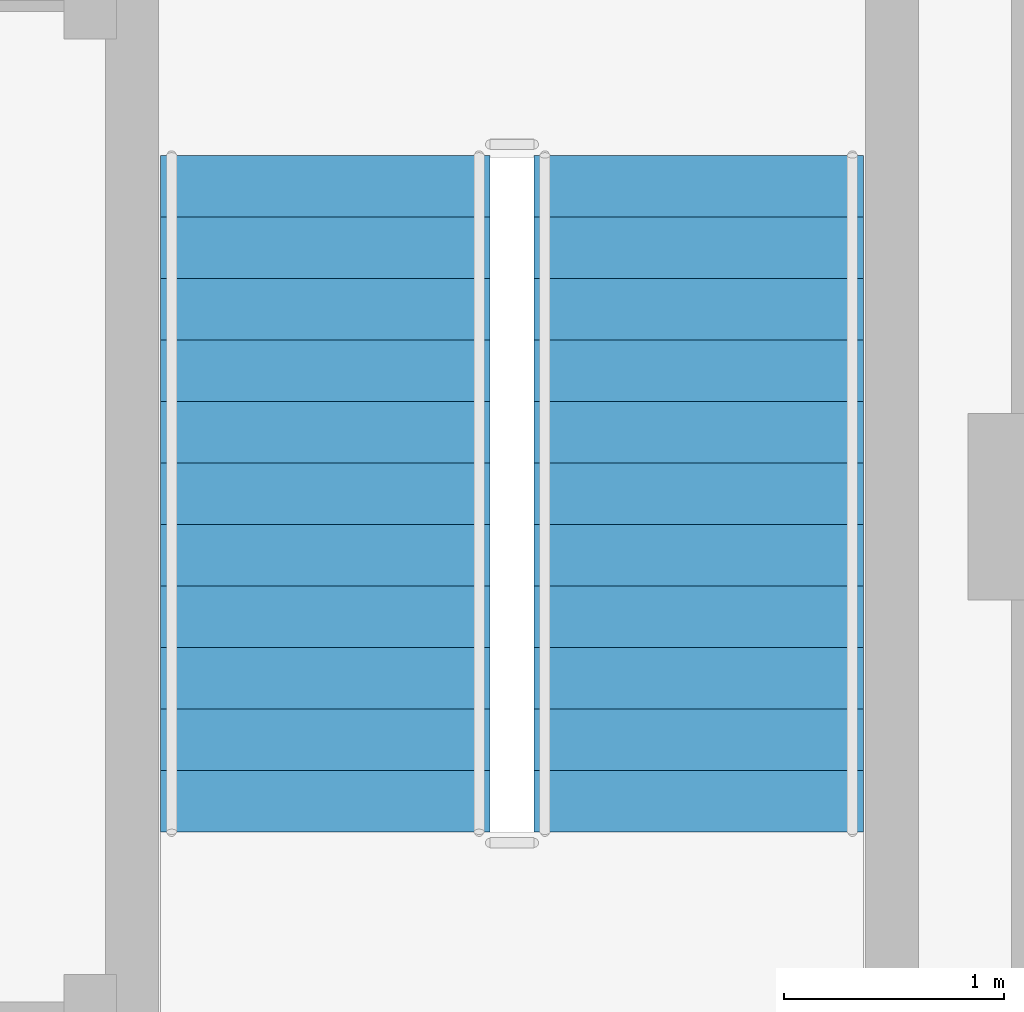
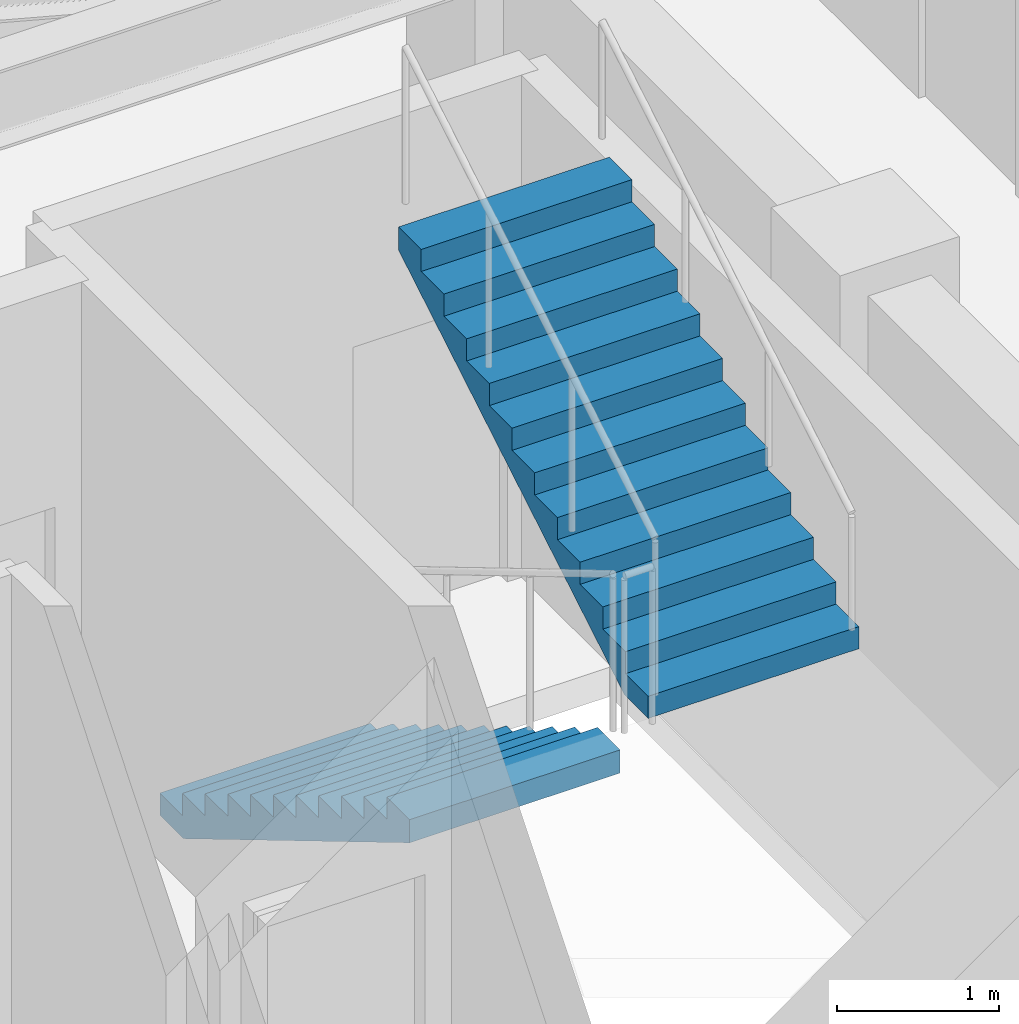
# One storey, part 8 of 12: 2 stair flights, 1 element without a shape of its own.
"""IFC4 building model written with IfcOpenShell, lengths in metres."""

from ifc_helpers import new_model, si_unit, direction, frame, origin, place, context, subcontext, project, spatial, polyline, outline, extrude, material, type_object, element, aggregate, save


model = new_model("IFC4")

# Units and contexts
model_context = context("Model", 3, precision=1e-05, world=origin(), true_north=direction((0.0, 1.0)))
body_context = subcontext(model_context, "Body", "Model", "MODEL_VIEW")
ifc_project = project(units=[si_unit("LENGTHUNIT", "METRE"), si_unit("AREAUNIT", "SQUARE_METRE"), si_unit("VOLUMEUNIT", "CUBIC_METRE"), si_unit("PLANEANGLEUNIT", "RADIAN"), si_unit("MASSUNIT", "GRAM", prefix="KILO")], contexts=[model_context])

# Site, building, storey
site_placement = place(None, origin())
site = spatial("IfcSite", under=ifc_project, at=site_placement, CompositionType="ELEMENT")
building_placement = place(site_placement, origin())
building = spatial("IfcBuilding", under=site, at=building_placement, Name="Gaonmaruhae Medical Tower", CompositionType="ELEMENT")
storey_placement = place(building_placement, frame((0.0, 0.0, 280.60009765625)))
storey = spatial("IfcBuildingStorey", under=building, at=storey_placement, Name="L67", CompositionType="ELEMENT", Elevation=280.60009765625)

# Stair, stair flights
ifc_material = material(Name="Concrete C40/50", Category="concrete")
stair_type = type_object("IfcStairType", Name="ST-T1 Primary Core Escape Dogleg Stair", PredefinedType="TWO_QUARTER_TURN_STAIR", material=ifc_material)
stair_placement = place(storey_placement, origin())
stair = element("IfcStair", 1, at=stair_placement, inside=storey, type_object=stair_type, Name="L67 Protected Escape Stair ST-02", PredefinedType="TWO_QUARTER_TURN_STAIR")
stair_flight_type = type_object("IfcStairFlightType", Name="SF-T1 Primary Core Precast Stair Flight", PredefinedType="STRAIGHT", material=ifc_material)
stair_flight_1_placement = place(storey_placement, frame((32.25, 13.89990234375, 0.0), z_axis=(0.0, 0.0, 1.0), x_axis=(0.0, -1.0, 0.0)))
stair_flight_1 = element("IfcStairFlight", 2, at=stair_flight_1_placement, type_object=stair_flight_type, Name="ST-02 flight 1", NumberOfRisers=12, NumberOfTreads=11, PredefinedType="STRAIGHT", RiserHeight=0.166666667, TreadLength=0.28, context=body_context, shape_type="SweptSolid", body=[
    extrude(outline(polyline([(0.0, 0.0), (0.0, 0.166748046875), (0.280029296875, 0.166748046875), (0.280029296875, 0.333251953125), (0.56005859375, 0.333251953125), (0.56005859375, 0.5), (0.840087890625, 0.5), (0.840087890625, 0.666748046875), (1.1201171875, 0.666748046875), (1.1201171875, 0.833251953125), (1.39990234375, 0.833251953125), (1.39990234375, 1.0), (1.679931640625, 1.0), (1.679931640625, 1.166748046875), (1.9599609375, 1.166748046875), (1.9599609375, 1.333251953125), (2.239990234375, 1.333251953125), (2.239990234375, 1.5), (2.52001953125, 1.5), (2.52001953125, 1.666748046875), (2.800048828125, 1.666748046875), (2.800048828125, 1.833251953125), (3.080078125, 1.833251953125), (3.080078125, 2.0), (3.080078125, 1.658935546875), (0.29296875, 0.0), (0.0, 0.0)])), frame((0.0, 0.75, 0.0), z_axis=(0.0, -1.0, 0.0), x_axis=(1.0, 0.0, 0.0)), (0.0, 0.0, 1.0), 1.5),
])
stair_flight_2_placement = place(storey_placement, frame((33.949951171875, 10.820068359375, 2.0), z_axis=(0.0, 0.0, 1.0), x_axis=(0.0, 1.0, 0.0)))
stair_flight_2 = element("IfcStairFlight", 3, at=stair_flight_2_placement, type_object=stair_flight_type, Name="ST-02 flight 2", NumberOfRisers=12, NumberOfTreads=11, PredefinedType="STRAIGHT", RiserHeight=0.166666667, TreadLength=0.28, context=body_context, shape_type="SweptSolid", body=[
    extrude(outline(polyline([(0.0, 0.0), (0.0, 0.166748046875), (0.280029296875, 0.166748046875), (0.280029296875, 0.333251953125), (0.56005859375, 0.333251953125), (0.56005859375, 0.5), (0.840087890625, 0.5), (0.840087890625, 0.666748046875), (1.1201171875, 0.666748046875), (1.1201171875, 0.833251953125), (1.39990234375, 0.833251953125), (1.39990234375, 1.0), (1.679931640625, 1.0), (1.679931640625, 1.166748046875), (1.9599609375, 1.166748046875), (1.9599609375, 1.333251953125), (2.239990234375, 1.333251953125), (2.239990234375, 1.5), (2.52001953125, 1.5), (2.52001953125, 1.666748046875), (2.800048828125, 1.666748046875), (2.800048828125, 1.833251953125), (3.080078125, 1.833251953125), (3.080078125, 2.0), (3.080078125, 1.658935546875), (0.29296875, 0.0), (0.0, 0.0)])), frame((0.0, 0.75, 0.0), z_axis=(0.0, -1.0, 0.0), x_axis=(1.0, 0.0, 0.0)), (0.0, 0.0, 1.0), 1.5),
])
aggregate(stair, [stair_flight_1, stair_flight_2])

save(model, "model.ifc")
